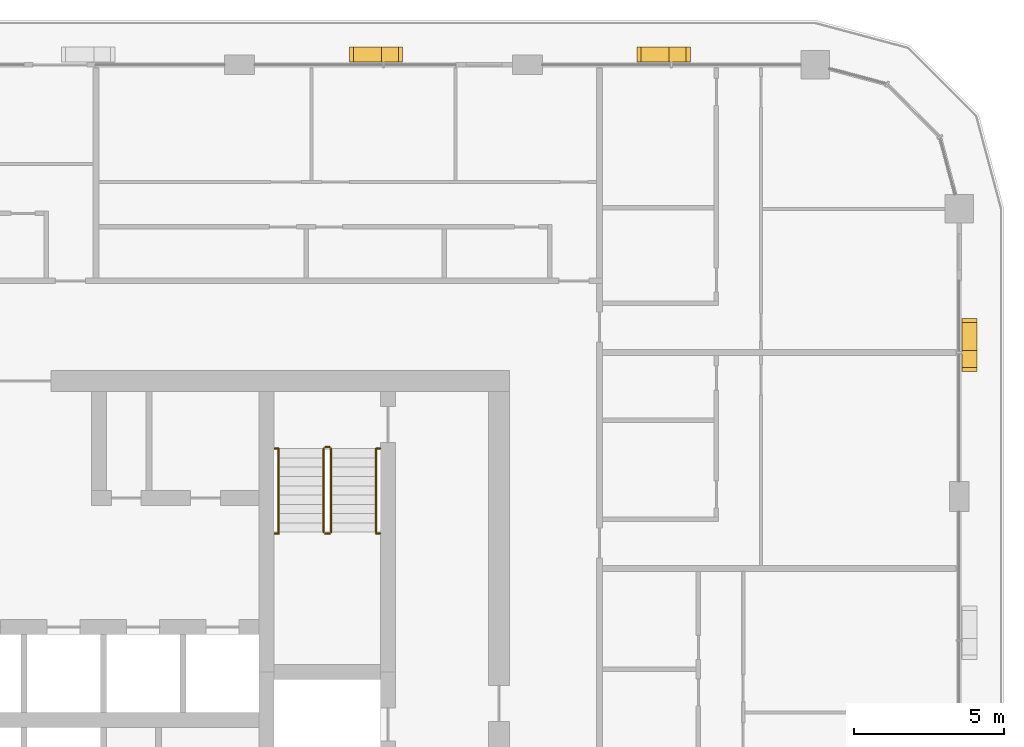
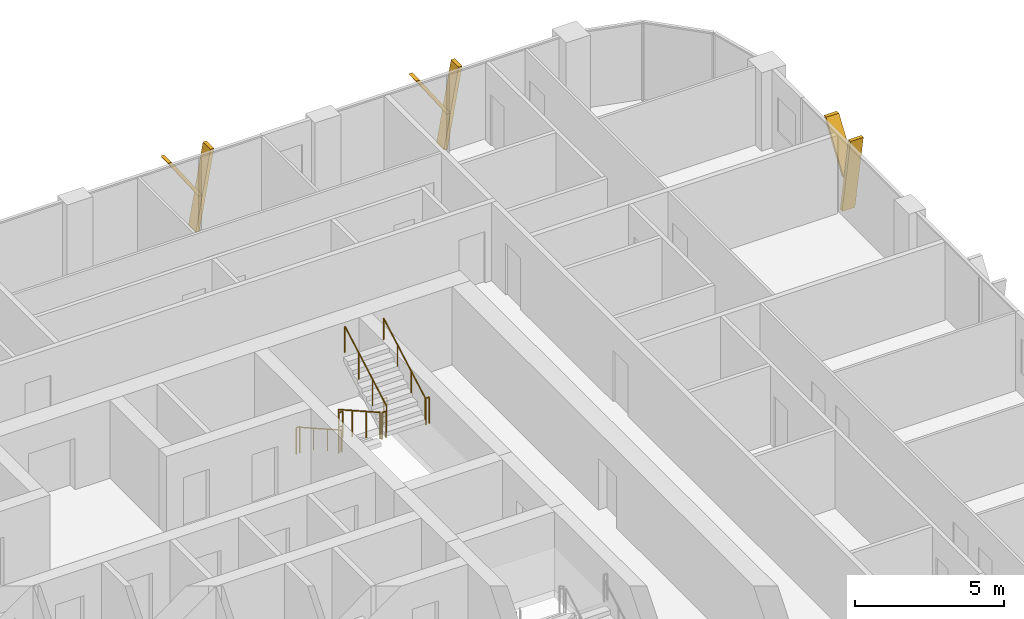
# One storey, part 22 of 22: 10 railings, 6 shading devices.
"""IFC4 building model written with IfcOpenShell, lengths in metres."""

from ifc_helpers import new_model, si_unit, direction, frame, origin, origin_2d, place, context, subcontext, project, spatial, polyline, circle, outline, extrude, material, type_object, element, save


model = new_model("IFC4")

# Units and contexts
model_context = context("Model", 3, precision=1e-05, world=origin(), true_north=direction((0.0, 1.0)))
body_context = subcontext(model_context, "Body", "Model", "MODEL_VIEW")
ifc_project = project(units=[si_unit("LENGTHUNIT", "METRE"), si_unit("AREAUNIT", "SQUARE_METRE"), si_unit("VOLUMEUNIT", "CUBIC_METRE"), si_unit("PLANEANGLEUNIT", "RADIAN"), si_unit("MASSUNIT", "GRAM", prefix="KILO")], contexts=[model_context])

# Site, building, storey
site_placement = place(None, origin())
site = spatial("IfcSite", under=ifc_project, at=site_placement, CompositionType="ELEMENT")
building_placement = place(site_placement, origin())
building = spatial("IfcBuilding", under=site, at=building_placement, Name="Madar Terraces", CompositionType="ELEMENT")
storey_placement = place(building_placement, frame((0.0, 0.0, 178.89990234375)))
storey = spatial("IfcBuildingStorey", under=building, at=storey_placement, Name="L46", CompositionType="ELEMENT", Elevation=178.89990234375)

# Shading devices
ifc_material_1 = material(Name="Aluminium, black anodised", Category="aluminium")
shading_device_type = type_object("IfcShadingDeviceType", Name="Facade fin blade 140 x 500", PredefinedType="USERDEFINED", material=ifc_material_1)
shading_device_1_placement = place(storey_placement, frame((62.75, 38.330078125, 0.0), z_axis=(0.0, 0.0, 1.0), x_axis=(0.0, 1.0, 0.0)))
element("IfcShadingDevice", 1, at=shading_device_1_placement, inside=storey, type_object=shading_device_type, Name="FIN L46 E4", ObjectType="FIN", PredefinedType="USERDEFINED", context=body_context, shape_type="SweptSolid", body=[
    extrude(outline(polyline([(0.0, 0.0), (0.139892578125, 0.0), (-0.42431640625, 3.2001953125), (-0.564208984375, 3.2001953125), (0.0, 0.0)])), frame((0.0, 0.25, 0.0), z_axis=(0.0, -1.0, 0.0), x_axis=(1.0, 0.0, 0.0)), (0.0, 0.0, 1.0), 0.5),
])
shading_device_2_placement = place(storey_placement, frame((62.75, 38.216064453125, 1.440185546875), z_axis=(0.0, 0.0, 1.0), x_axis=(0.0, 1.0, 0.0)))
element("IfcShadingDevice", 2, at=shading_device_2_placement, inside=storey, type_object=shading_device_type, Name="FIN L46 E4 branch", ObjectType="FIN", PredefinedType="USERDEFINED", context=body_context, shape_type="SweptSolid", body=[
    extrude(outline(polyline([(0.0, 0.0), (0.14013671875, 0.0), (1.32958984375, 1.760009765625), (1.189697265625, 1.760009765625), (0.0, 0.0)])), frame((0.0, 0.25, 0.0), z_axis=(0.0, -1.0, 0.0), x_axis=(1.0, 0.0, 0.0)), (0.0, 0.0, 1.0), 0.5),
])
shading_device_3_placement = place(storey_placement, frame((52.8701171875, 48.35009765625, 0.0), z_axis=(0.0, 0.0, 1.0), x_axis=(-1.0, 0.0, 0.0)))
element("IfcShadingDevice", 3, at=shading_device_3_placement, inside=storey, type_object=shading_device_type, Name="FIN L46 N1", ObjectType="FIN", PredefinedType="USERDEFINED", context=body_context, shape_type="SweptSolid", body=[
    extrude(outline(polyline([(0.0, 0.0), (0.14013671875, 0.0), (-0.42431640625, 3.2001953125), (-0.564208984375, 3.2001953125), (0.0, 0.0)])), frame((0.0, 0.25, 0.0), z_axis=(0.0, -1.0, 0.0), x_axis=(1.0, 0.0, 0.0)), (0.0, 0.0, 1.0), 0.5),
])
shading_device_4_placement = place(storey_placement, frame((52.98388671875, 48.35009765625, 1.440185546875), z_axis=(0.0, 0.0, 1.0), x_axis=(-1.0, 0.0, 0.0)))
element("IfcShadingDevice", 4, at=shading_device_4_placement, inside=storey, type_object=shading_device_type, Name="FIN L46 N1 branch", ObjectType="FIN", PredefinedType="USERDEFINED", context=body_context, shape_type="SweptSolid", body=[
    extrude(outline(polyline([(0.0, 0.0), (0.139892578125, 0.0), (1.32958984375, 1.760009765625), (1.189697265625, 1.760009765625), (0.0, 0.0)])), frame((0.0, 0.25, 0.0), z_axis=(0.0, -1.0, 0.0), x_axis=(1.0, 0.0, 0.0)), (0.0, 0.0, 1.0), 0.5),
])
shading_device_5_placement = place(storey_placement, frame((43.27001953125, 48.35009765625, 0.0), z_axis=(0.0, 0.0, 1.0), x_axis=(-1.0, 0.0, 0.0)))
element("IfcShadingDevice", 5, at=shading_device_5_placement, inside=storey, type_object=shading_device_type, Name="FIN L46 N2", ObjectType="FIN", PredefinedType="USERDEFINED", context=body_context, shape_type="SweptSolid", body=[
    extrude(outline(polyline([(0.0, 0.0), (0.14013671875, 0.0), (-0.42431640625, 3.2001953125), (-0.564208984375, 3.2001953125), (0.0, 0.0)])), frame((0.0, 0.25, 0.0), z_axis=(0.0, -1.0, 0.0), x_axis=(1.0, 0.0, 0.0)), (0.0, 0.0, 1.0), 0.5),
])
shading_device_6_placement = place(storey_placement, frame((43.3837890625, 48.35009765625, 1.440185546875), z_axis=(0.0, 0.0, 1.0), x_axis=(-1.0, 0.0, 0.0)))
element("IfcShadingDevice", 6, at=shading_device_6_placement, inside=storey, type_object=shading_device_type, Name="FIN L46 N2 branch", ObjectType="FIN", PredefinedType="USERDEFINED", context=body_context, shape_type="SweptSolid", body=[
    extrude(outline(polyline([(0.0, 0.0), (0.139892578125, 0.0), (1.32958984375, 1.760009765625), (1.189697265625, 1.760009765625), (0.0, 0.0)])), frame((0.0, 0.25, 0.0), z_axis=(0.0, -1.0, 0.0), x_axis=(1.0, 0.0, 0.0)), (0.0, 0.0, 1.0), 0.5),
])

# Railings
ifc_material_2 = material(Name="Stainless steel railing", Category="steel")
railing_type_1 = type_object("IfcRailingType", Name="Stair guard 1100", PredefinedType="GUARDRAIL", material=ifc_material_2)
railing_1_placement = place(storey_placement, frame((41.199951171875, 35.199951171875, 0.175048828125)))
element("IfcRailing", 7, at=railing_1_placement, inside=storey, type_object=railing_type_1, Name="L46 ST2 stair guard 1", PredefinedType="GUARDRAIL", context=body_context, shape_type="SweptSolid", body=[
    extrude(circle(Radius=0.02392578125, at=origin_2d()), frame((0.0, 0.0, 1.076171875), z_axis=(0.0, -0.870833779661, 0.491577591232), x_axis=(1.0, 0.0, 0.0)), (0.0, 0.0, 1.0), 3.203857421875),
    extrude(circle(Radius=0.02099609375, at=origin_2d()), origin(), (0.0, 0.0, 1.0), 1.052001953125),
    extrude(circle(Radius=0.02099609375, at=origin_2d()), frame((0.0, -0.929931640625, 0.52490234375)), (0.0, 0.0, 1.0), 1.052001953125),
    extrude(circle(Radius=0.02099609375, at=origin_2d()), frame((0.0, -1.860107421875, 1.050048828125)), (0.0, 0.0, 1.0), 1.052001953125),
    extrude(circle(Radius=0.02099609375, at=origin_2d()), frame((0.0, -2.7900390625, 1.574951171875)), (0.0, 0.0, 1.0), 1.052001953125),
])
railing_2_placement = place(storey_placement, frame((41.25, 32.360107421875, 1.75)))
element("IfcRailing", 8, at=railing_2_placement, inside=storey, type_object=railing_type_1, Name="L46 ST2 stair guard 2", PredefinedType="GUARDRAIL", context=body_context, shape_type="SweptSolid", body=[
    extrude(circle(Radius=0.02392578125, at=origin_2d()), frame((0.0, 0.0, 1.076171875), z_axis=(1.0, 0.0, 0.0), x_axis=(0.0, 1.0, 0.0)), (0.0, 0.0, 1.0), 0.14990234375),
    extrude(circle(Radius=0.02099609375, at=origin_2d()), origin(), (0.0, 0.0, 1.0), 1.052001953125),
    extrude(circle(Radius=0.02099609375, at=origin_2d()), frame((0.14990234375, 0.0, 0.0)), (0.0, 0.0, 1.0), 1.052001953125),
])
railing_3_placement = place(storey_placement, frame((41.449951171875, 32.409912109375, 1.925048828125)))
element("IfcRailing", 9, at=railing_3_placement, inside=storey, type_object=railing_type_1, Name="L46 ST2 stair guard 3", PredefinedType="GUARDRAIL", context=body_context, shape_type="SweptSolid", body=[
    extrude(circle(Radius=0.02392578125, at=origin_2d()), frame((0.0, 0.0, 1.076171875), z_axis=(0.0, 0.870833779661, 0.491577591232), x_axis=(-1.0, 0.0, 0.0)), (0.0, 0.0, 1.0), 3.203857421875),
    extrude(circle(Radius=0.02099609375, at=origin_2d()), origin(), (0.0, 0.0, 1.0), 1.052001953125),
    extrude(circle(Radius=0.02099609375, at=origin_2d()), frame((0.0, 0.929931640625, 0.52490234375)), (0.0, 0.0, 1.0), 1.052001953125),
    extrude(circle(Radius=0.02099609375, at=origin_2d()), frame((0.0, 1.860107421875, 1.050048828125)), (0.0, 0.0, 1.0), 1.052001953125),
    extrude(circle(Radius=0.02099609375, at=origin_2d()), frame((0.0, 2.7900390625, 1.574951171875)), (0.0, 0.0, 1.0), 1.052001953125),
])
railing_4_placement = place(storey_placement, frame((41.25, 35.25, 0.0)))
element("IfcRailing", 10, at=railing_4_placement, inside=storey, type_object=railing_type_1, Name="L46 ST2 stair guard 4", PredefinedType="GUARDRAIL", context=body_context, shape_type="SweptSolid", body=[
    extrude(circle(Radius=0.02392578125, at=origin_2d()), frame((0.0, 0.0, 1.076171875), z_axis=(1.0, 0.0, 0.0), x_axis=(0.0, 1.0, 0.0)), (0.0, 0.0, 1.0), 0.14990234375),
    extrude(circle(Radius=0.02099609375, at=origin_2d()), origin(), (0.0, 0.0, 1.0), 1.052001953125),
    extrude(circle(Radius=0.02099609375, at=origin_2d()), frame((0.14990234375, 0.0, 0.0)), (0.0, 0.0, 1.0), 1.052001953125),
])
railing_5_placement = place(storey_placement, frame((39.570068359375, 32.360107421875, 1.75)))
element("IfcRailing", 11, at=railing_5_placement, inside=storey, type_object=railing_type_1, Name="L46 stair guard seat 1", PredefinedType="GUARDRAIL", context=body_context, shape_type="SweptSolid", body=[
    extrude(circle(Radius=0.02392578125, at=origin_2d()), frame((0.0, 0.0, 1.076171875), z_axis=(1.0, 0.0, 0.0), x_axis=(0.0, 1.0, 0.0)), (0.0, 0.0, 1.0), 0.1298828125),
    extrude(circle(Radius=0.02099609375, at=origin_2d()), origin(), (0.0, 0.0, 1.0), 1.052001953125),
    extrude(circle(Radius=0.02099609375, at=origin_2d()), frame((0.1298828125, 0.0, 0.0)), (0.0, 0.0, 1.0), 1.052001953125),
])
railing_6_placement = place(storey_placement, frame((42.949951171875, 32.360107421875, 1.75)))
element("IfcRailing", 12, at=railing_6_placement, inside=storey, type_object=railing_type_1, Name="L46 stair guard seat 2", PredefinedType="GUARDRAIL", context=body_context, shape_type="SweptSolid", body=[
    extrude(circle(Radius=0.02392578125, at=origin_2d()), frame((0.0, 0.0, 1.076171875), z_axis=(1.0, 0.0, 0.0), x_axis=(0.0, 1.0, 0.0)), (0.0, 0.0, 1.0), 0.130126953125),
    extrude(circle(Radius=0.02099609375, at=origin_2d()), origin(), (0.0, 0.0, 1.0), 1.052001953125),
    extrude(circle(Radius=0.02099609375, at=origin_2d()), frame((0.130126953125, 0.0, 0.0)), (0.0, 0.0, 1.0), 1.052001953125),
])
railing_7_placement = place(storey_placement, frame((39.570068359375, 35.199951171875, 0.0)))
element("IfcRailing", 13, at=railing_7_placement, inside=storey, type_object=railing_type_1, Name="L46 stair guard floor 1", PredefinedType="GUARDRAIL", context=body_context, shape_type="SweptSolid", body=[
    extrude(circle(Radius=0.02392578125, at=origin_2d()), frame((0.0, 0.0, 1.076171875), z_axis=(1.0, 0.0, 0.0), x_axis=(0.0, 1.0, 0.0)), (0.0, 0.0, 1.0), 0.1298828125),
    extrude(circle(Radius=0.02099609375, at=origin_2d()), origin(), (0.0, 0.0, 1.0), 1.052001953125),
    extrude(circle(Radius=0.02099609375, at=origin_2d()), frame((0.1298828125, 0.0, 0.0)), (0.0, 0.0, 1.0), 1.052001953125),
])
railing_8_placement = place(storey_placement, frame((42.949951171875, 35.199951171875, 0.0)))
element("IfcRailing", 14, at=railing_8_placement, inside=storey, type_object=railing_type_1, Name="L46 stair guard floor 2", PredefinedType="GUARDRAIL", context=body_context, shape_type="SweptSolid", body=[
    extrude(circle(Radius=0.02392578125, at=origin_2d()), frame((0.0, 0.0, 1.076171875), z_axis=(1.0, 0.0, 0.0), x_axis=(0.0, 1.0, 0.0)), (0.0, 0.0, 1.0), 0.130126953125),
    extrude(circle(Radius=0.02099609375, at=origin_2d()), origin(), (0.0, 0.0, 1.0), 1.052001953125),
    extrude(circle(Radius=0.02099609375, at=origin_2d()), frame((0.130126953125, 0.0, 0.0)), (0.0, 0.0, 1.0), 1.052001953125),
])
ifc_material_3 = material(Name="Stainless steel railing", Category="steel")
railing_type_2 = type_object("IfcRailingType", Name="Stair handrail 900", PredefinedType="HANDRAIL", material=ifc_material_3)
railing_9_placement = place(storey_placement, frame((39.699951171875, 35.199951171875, 0.175048828125)))
element("IfcRailing", 15, at=railing_9_placement, inside=storey, type_object=railing_type_2, Name="L46 ST2 stair handrail 1", PredefinedType="HANDRAIL", context=body_context, shape_type="SweptSolid", body=[
    extrude(circle(Radius=0.02392578125, at=origin_2d()), frame((0.0, 0.0, 0.8759765625), z_axis=(0.0, -0.870833779661, 0.491577591232), x_axis=(1.0, 0.0, 0.0)), (0.0, 0.0, 1.0), 3.203857421875),
    extrude(circle(Radius=0.02099609375, at=origin_2d()), origin(), (0.0, 0.0, 1.0), 0.851806640625),
    extrude(circle(Radius=0.02099609375, at=origin_2d()), frame((0.0, -0.929931640625, 0.52490234375)), (0.0, 0.0, 1.0), 0.851806640625),
    extrude(circle(Radius=0.02099609375, at=origin_2d()), frame((0.0, -1.860107421875, 1.050048828125)), (0.0, 0.0, 1.0), 0.851806640625),
    extrude(circle(Radius=0.02099609375, at=origin_2d()), frame((0.0, -2.7900390625, 1.574951171875)), (0.0, 0.0, 1.0), 0.851806640625),
])
railing_10_placement = place(storey_placement, frame((42.949951171875, 32.409912109375, 1.925048828125)))
element("IfcRailing", 16, at=railing_10_placement, inside=storey, type_object=railing_type_2, Name="L46 ST2 stair handrail 2", PredefinedType="HANDRAIL", context=body_context, shape_type="SweptSolid", body=[
    extrude(circle(Radius=0.02392578125, at=origin_2d()), frame((0.0, 0.0, 0.8759765625), z_axis=(0.0, 0.870833779661, 0.491577591232), x_axis=(-1.0, 0.0, 0.0)), (0.0, 0.0, 1.0), 3.203857421875),
    extrude(circle(Radius=0.02099609375, at=origin_2d()), origin(), (0.0, 0.0, 1.0), 0.851806640625),
    extrude(circle(Radius=0.02099609375, at=origin_2d()), frame((0.0, 0.929931640625, 0.52490234375)), (0.0, 0.0, 1.0), 0.851806640625),
    extrude(circle(Radius=0.02099609375, at=origin_2d()), frame((0.0, 1.860107421875, 1.050048828125)), (0.0, 0.0, 1.0), 0.851806640625),
    extrude(circle(Radius=0.02099609375, at=origin_2d()), frame((0.0, 2.7900390625, 1.574951171875)), (0.0, 0.0, 1.0), 0.851806640625),
])

save(model, "model.ifc")
